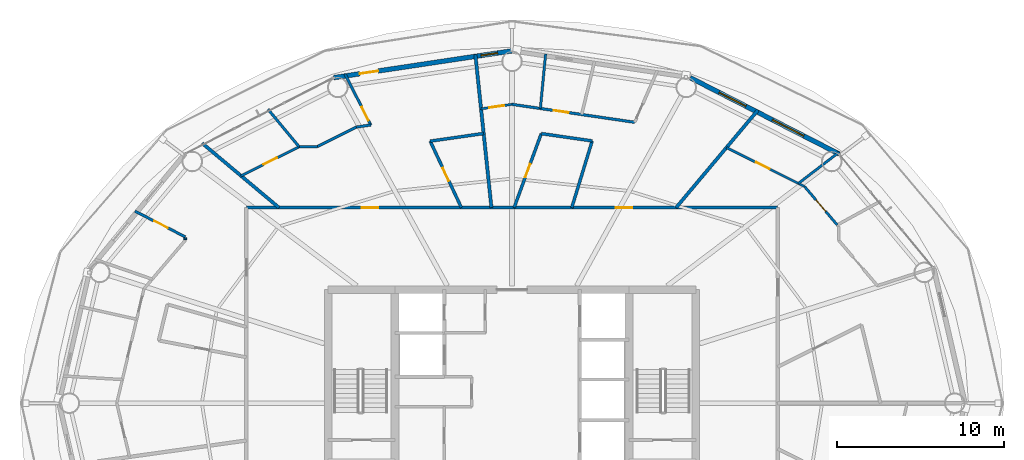
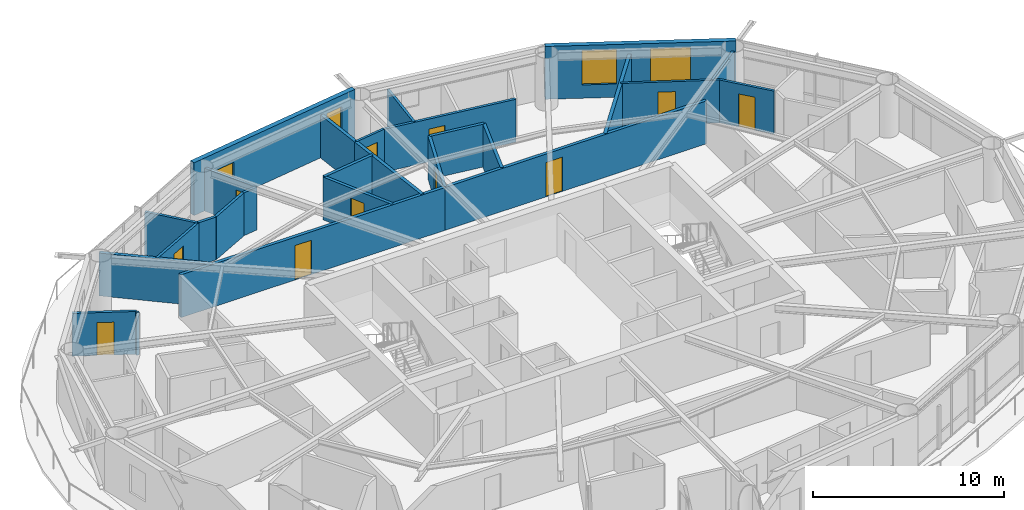
# One storey, part 24 of 28: 27 walls, 12 doors, 3 windows, 15 openings.
"""IFC4 building model written with IfcOpenShell, lengths in metres."""

from ifc_helpers import new_model, si_unit, direction, frame, frame_2d, origin, place, context, subcontext, project, spatial, rectangle, extrude, material, layer, layer_set, type_object, element, fill, save


model = new_model("IFC4")

# Units and contexts
model_context = context("Model", 3, precision=1e-05, world=origin(), true_north=direction((0.0, 1.0)))
body_context = subcontext(model_context, "Body", "Model", "MODEL_VIEW")
ifc_project = project(units=[si_unit("LENGTHUNIT", "METRE"), si_unit("AREAUNIT", "SQUARE_METRE"), si_unit("VOLUMEUNIT", "CUBIC_METRE"), si_unit("PLANEANGLEUNIT", "RADIAN"), si_unit("MASSUNIT", "GRAM", prefix="KILO")], contexts=[model_context])

# Site, building, storey
site_placement = place(None, origin())
site = spatial("IfcSite", under=ifc_project, at=site_placement, CompositionType="ELEMENT")
building_placement = place(site_placement, origin())
building = spatial("IfcBuilding", under=site, at=building_placement, Name="Sarneth Arch Tower", CompositionType="ELEMENT")
storey_placement = place(building_placement, frame((0.0, 0.0, 179.39990234375)))
storey = spatial("IfcBuildingStorey", under=building, at=storey_placement, Name="L45", CompositionType="ELEMENT", Elevation=179.39990234375)

# Wall, opening, door
ifc_material_1 = material(Name="Double steel-stud corridor fire wall", Category="steel")
ifc_layer_1 = layer(ifc_material_1, 0.18994140625)
ifc_layer_set_1 = layer_set([ifc_layer_1], Name="Double steel-stud corridor fire wall")
wall_type_1 = type_object("IfcWallType", Name="WALL-CORR-190", PredefinedType="PARTITIONING", material=ifc_layer_set_1)
wall_1_placement = place(storey_placement, frame((32.10009765625, 53.699951171875, 0.0), z_axis=(0.0, 0.0, 1.0), x_axis=(1.0, 0.0, 0.0)))
wall_1 = element("IfcWall", 1, at=wall_1_placement, inside=storey, type_object=wall_type_1, Name="L45 Interior partition W-L45-TP-007", PredefinedType="PARTITIONING", context=body_context, shape_type="SweptSolid", body=[
    extrude(rectangle(XDim=16.060546875, YDim=0.18994140625, at=frame_2d((8.0302734375, 0.0))), origin(), (0.0, 0.0, 1.0), 2.739990234375),
])
opening_1_placement = place(wall_1_placement, frame((6.90673828125, 0.0, 0.0)))
opening_1 = element("IfcOpeningElement", 2, at=opening_1_placement, cuts=wall_1, Name="Opening FD-08", PredefinedType="OPENING", context=body_context, shape_type="SweptSolid", body=[
    extrude(rectangle(XDim=1.0, YDim=2.199951171875, at=frame_2d((0.5, 1.10009765625))), frame((0.0, 0.10498046875, 0.0), z_axis=(0.0, -1.0, 0.0), x_axis=(1.0, 0.0, 0.0)), (0.0, 0.0, 1.0), 0.2099609375),
])
ifc_material_2 = material(Name="Hardwood timber acoustic fire door", Category="wood")
door_type_1 = type_object("IfcDoorType", Name="DR-FD60-1000", OperationType="SINGLE_SWING_LEFT", PredefinedType="DOOR", material=ifc_material_2)
door_1_placement = place(opening_1_placement, origin())
door_1 = element("IfcDoor", 3, at=door_1_placement, inside=storey, type_object=door_type_1, Name="L45 Interior door DR-L45-U3-ENT", OperationType="SINGLE_SWING_LEFT", OverallHeight=2.199951171875, OverallWidth=1.0, PredefinedType="DOOR", context=body_context, shape_type="SweptSolid", body=[
    extrude(rectangle(XDim=1.0, YDim=2.199951171875, at=frame_2d((0.5, 1.10009765625))), frame((0.0, 0.02490234375, 0.0), z_axis=(0.0, -1.0, 0.0), x_axis=(1.0, 0.0, 0.0)), (0.0, 0.0, 1.0), 0.050048828125),
])
fill(opening_1, door_1)

wall_2_placement = place(storey_placement, frame((48.09228515625, 53.699951171875, 0.0), z_axis=(0.0, 0.0, 1.0), x_axis=(1.0, 0.0, 0.0)))
wall_2 = element("IfcWall", 4, at=wall_2_placement, inside=storey, type_object=wall_type_1, Name="L45 Interior partition W-L45-TP-005", PredefinedType="PARTITIONING", context=body_context, shape_type="SweptSolid", body=[
    extrude(rectangle(XDim=15.8076171875, YDim=0.18994140625, at=frame_2d((7.90380859375, 0.0))), origin(), (0.0, 0.0, 1.0), 2.739990234375),
])
opening_2_placement = place(wall_2_placement, frame((6.10888671875, 0.0, 0.0)))
opening_2 = element("IfcOpeningElement", 5, at=opening_2_placement, cuts=wall_2, Name="Opening FD-08", PredefinedType="OPENING", context=body_context, shape_type="SweptSolid", body=[
    extrude(rectangle(XDim=1.0, YDim=2.199951171875, at=frame_2d((0.5, 1.10009765625))), frame((0.0, 0.10498046875, 0.0), z_axis=(0.0, -1.0, 0.0), x_axis=(1.0, 0.0, 0.0)), (0.0, 0.0, 1.0), 0.2099609375),
])
door_2_placement = place(opening_2_placement, origin())
door_2 = element("IfcDoor", 6, at=door_2_placement, inside=storey, type_object=door_type_1, Name="L45 Interior door DR-L45-U2-ENT", OperationType="SINGLE_SWING_RIGHT", OverallHeight=2.199951171875, OverallWidth=1.0, PredefinedType="DOOR", context=body_context, shape_type="SweptSolid", body=[
    extrude(rectangle(XDim=1.0, YDim=2.199951171875, at=frame_2d((0.5, 1.10009765625))), frame((0.0, 0.02490234375, 0.0), z_axis=(0.0, -1.0, 0.0), x_axis=(1.0, 0.0, 0.0)), (0.0, 0.0, 1.0), 0.050048828125),
])
fill(opening_2, door_2)

# Wall, openings, windows
ifc_material_3 = material(Name="Extruded terracotta rainscreen on Concrete C40/50 backing", Category="masonry")
ifc_layer_2 = layer(ifc_material_3, 0.280029296875)
ifc_layer_set_2 = layer_set([ifc_layer_2], Name="Extruded terracotta rainscreen on Concrete C40/50 backing")
wall_type_2 = type_object("IfcWallType", Name="WALL-EXT-TERRA-280", PredefinedType="SOLIDWALL", material=ifc_layer_set_2)
wall_3_placement = place(storey_placement, frame((67.576171875, 56.90576171875, 0.0), z_axis=(0.0, 0.0, 1.0), x_axis=(-0.889872523182, 0.456209263919, 0.0)))
wall_3 = element("IfcWall", 7, at=wall_3_placement, inside=storey, type_object=wall_type_2, Name="L45 Terracotta perimeter wall 03", PredefinedType="SOLIDWALL", context=body_context, shape_type="SweptSolid", body=[
    extrude(rectangle(XDim=10.016357421875, YDim=0.280029296875, at=frame_2d((5.00830078125, 0.0))), origin(), (0.0, 0.0, 1.0), 3.380126953125),
])
opening_3_placement = place(wall_3_placement, frame((2.3837890625, 0.0, 0.85009765625)))
opening_3 = element("IfcOpeningElement", 8, at=opening_3_placement, cuts=wall_3, Name="Opening W-03", PredefinedType="OPENING", context=body_context, shape_type="SweptSolid", body=[
    extrude(rectangle(XDim=2.10009765625, YDim=2.199951171875, at=frame_2d((1.050048828125, 1.10009765625))), frame((0.0, 0.14990234375, 0.0), z_axis=(0.0, -1.0, 0.0), x_axis=(1.0, 0.0, 0.0)), (0.0, 0.0, 1.0), 0.300048828125),
])
opening_4_placement = place(wall_3_placement, frame((6.271240234375, 0.0, 0.85009765625)))
opening_4 = element("IfcOpeningElement", 9, at=opening_4_placement, cuts=wall_3, Name="Opening W-04", PredefinedType="OPENING", context=body_context, shape_type="SweptSolid", body=[
    extrude(rectangle(XDim=1.800048828125, YDim=2.199951171875, at=frame_2d((0.89990234375, 1.10009765625))), frame((0.0, 0.14990234375, 0.0), z_axis=(0.0, -1.0, 0.0), x_axis=(1.0, 0.0, 0.0)), (0.0, 0.0, 1.0), 0.300048828125),
])
ifc_material_4 = material(Name="Thermally broken Aluminium 6063-T6 and low-e laminated IGU", Category="aluminium")
window_type_1 = type_object("IfcWindowType", Name="WIN-TWR-1800x2200", PartitioningType="DOUBLE_PANEL_VERTICAL", PredefinedType="WINDOW", material=ifc_material_4)
window_1_placement = place(opening_4_placement, origin())
window_1 = element("IfcWindow", 10, at=window_1_placement, inside=storey, type_object=window_type_1, Name="L45 Exterior window 03B", OverallHeight=2.199951171875, OverallWidth=1.800048828125, PartitioningType="SINGLE_PANEL", PredefinedType="WINDOW", context=body_context, shape_type="SweptSolid", body=[
    extrude(rectangle(XDim=1.800048828125, YDim=2.199951171875, at=frame_2d((0.89990234375, 1.10009765625))), frame((0.0, 0.030029296875, 0.0), z_axis=(0.0, -1.0, 0.0), x_axis=(1.0, 0.0, 0.0)), (0.0, 0.0, 1.0), 0.06005859375),
])
fill(opening_4, window_1)
ifc_material_5 = material(Name="Thermally broken Aluminium 6063-T6 and low-e laminated IGU", Category="aluminium")
window_type_2 = type_object("IfcWindowType", Name="WIN-TWR-2100x2200", PartitioningType="DOUBLE_PANEL_VERTICAL", PredefinedType="WINDOW", material=ifc_material_5)
window_2_placement = place(opening_3_placement, origin())
window_2 = element("IfcWindow", 11, at=window_2_placement, inside=storey, type_object=window_type_2, Name="L45 Exterior window 03A", OverallHeight=2.199951171875, OverallWidth=2.10009765625, PartitioningType="SINGLE_PANEL", PredefinedType="WINDOW", context=body_context, shape_type="SweptSolid", body=[
    extrude(rectangle(XDim=2.10009765625, YDim=2.199951171875, at=frame_2d((1.050048828125, 1.10009765625))), frame((0.0, 0.030029296875, 0.0), z_axis=(0.0, -1.0, 0.0), x_axis=(1.0, 0.0, 0.0)), (0.0, 0.0, 1.0), 0.06005859375),
])
fill(opening_3, window_2)

# Wall, openings, door, window
wall_4_placement = place(storey_placement, frame((48.0, 63.080078125, 0.0), z_axis=(0.0, 0.0, 1.0), x_axis=(-0.988863993413, -0.148822049884, 0.0)))
wall_4 = element("IfcWall", 12, at=wall_4_placement, inside=storey, type_object=wall_type_2, Name="L45 Terracotta perimeter wall 05", PredefinedType="SOLIDWALL", context=body_context, shape_type="SweptSolid", body=[
    extrude(rectangle(XDim=10.782958984375, YDim=0.280029296875, at=frame_2d((5.3916015625, 0.0))), origin(), (0.0, 0.0, 1.0), 3.380126953125),
])
opening_5_placement = place(wall_4_placement, frame((8.101318359375, 0.0, 0.0)))
opening_5 = element("IfcOpeningElement", 13, at=opening_5_placement, cuts=wall_4, Name="Opening BD-3", PredefinedType="OPENING", context=body_context, shape_type="SweptSolid", body=[
    extrude(rectangle(XDim=1.10009765625, YDim=2.25, at=frame_2d((0.550048828125, 1.125))), frame((0.0, 0.14990234375, 0.0), z_axis=(0.0, -1.0, 0.0), x_axis=(1.0, 0.0, 0.0)), (0.0, 0.0, 1.0), 0.300048828125),
])
opening_6_placement = place(wall_4_placement, frame((0.873779296875, 0.0, 0.85009765625)))
opening_6 = element("IfcOpeningElement", 14, at=opening_6_placement, cuts=wall_4, Name="Opening W-11", PredefinedType="OPENING", context=body_context, shape_type="SweptSolid", body=[
    extrude(rectangle(XDim=1.0, YDim=1.800048828125, at=frame_2d((0.5, 0.89990234375))), frame((0.0, 0.14990234375, 0.0), z_axis=(0.0, -1.0, 0.0), x_axis=(1.0, 0.0, 0.0)), (0.0, 0.0, 1.0), 0.300048828125),
])
ifc_material_6 = material(Name="Thermally broken Aluminium 6063-T6 and laminated safety glass", Category="aluminium")
door_type_2 = type_object("IfcDoorType", Name="DR-BALC-GLZ-1100", OperationType="SINGLE_SWING_LEFT", PredefinedType="DOOR", material=ifc_material_6)
door_3_placement = place(opening_5_placement, origin())
door_3 = element("IfcDoor", 15, at=door_3_placement, inside=storey, type_object=door_type_2, Name="L45 Balcony glazed door 05", OperationType="SINGLE_SWING_LEFT", OverallHeight=2.25, OverallWidth=1.10009765625, PredefinedType="DOOR", context=body_context, shape_type="SweptSolid", body=[
    extrude(rectangle(XDim=1.10009765625, YDim=2.25, at=frame_2d((0.550048828125, 1.125))), frame((0.0, 0.02490234375, 0.0), z_axis=(0.0, -1.0, 0.0), x_axis=(1.0, 0.0, 0.0)), (0.0, 0.0, 1.0), 0.050048828125),
])
fill(opening_5, door_3)
ifc_material_7 = material(Name="Thermally broken Aluminium 6063-T6 and low-e laminated IGU", Category="aluminium")
window_type_3 = type_object("IfcWindowType", Name="WIN-TWR-1000x1800", PartitioningType="SINGLE_PANEL", PredefinedType="WINDOW", material=ifc_material_7)
window_3_placement = place(opening_6_placement, origin())
window_3 = element("IfcWindow", 16, at=window_3_placement, inside=storey, type_object=window_type_3, Name="L45 Dwelling bedroom window 02", OverallHeight=1.800048828125, OverallWidth=1.0, PartitioningType="SINGLE_PANEL", PredefinedType="WINDOW", context=body_context, shape_type="SweptSolid", body=[
    extrude(rectangle(XDim=1.0, YDim=1.800048828125, at=frame_2d((0.5, 0.89990234375))), frame((0.0, 0.030029296875, 0.0), z_axis=(0.0, -1.0, 0.0), x_axis=(1.0, 0.0, 0.0)), (0.0, 0.0, 1.0), 0.06005859375),
])
fill(opening_6, window_3)

# Wall, opening, door
ifc_material_8 = material(Name="Apartment internal stud partition", Category="gypsum")
ifc_layer_3 = layer(ifc_material_8, 0.139892578125)
ifc_layer_set_3 = layer_set([ifc_layer_3], Name="Apartment internal stud partition")
wall_type_3 = type_object("IfcWallType", Name="WALL-PART-140", PredefinedType="PARTITIONING", material=ifc_layer_set_3)
wall_5_placement = place(storey_placement, frame((60.8310546875, 57.291259765625, 0.0), z_axis=(0.0, 0.0, 1.0), x_axis=(0.894950159382, -0.446166126261, 0.0)))
wall_5 = element("IfcWall", 17, at=wall_5_placement, inside=storey, type_object=wall_type_3, Name="L45 Interior partition W-L45-TP-029", PredefinedType="PARTITIONING", context=body_context, shape_type="SweptSolid", body=[
    extrude(rectangle(XDim=5.222412109375, YDim=0.139892578125, at=frame_2d((2.611328125, 0.0))), origin(), (0.0, 0.0, 1.0), 2.739990234375),
])
opening_7_placement = place(wall_5_placement, frame((1.97119140625, 0.0, 0.0)))
opening_7 = element("IfcOpeningElement", 18, at=opening_7_placement, cuts=wall_5, Name="Opening ID-01", PredefinedType="OPENING", context=body_context, shape_type="SweptSolid", body=[
    extrude(rectangle(XDim=0.89990234375, YDim=2.10009765625, at=frame_2d((0.449951171875, 1.050048828125))), frame((0.0, 0.079833984375, 0.0), z_axis=(0.0, -1.0, 0.0), x_axis=(1.0, 0.0, 0.0)), (0.0, 0.0, 1.0), 0.159912109375),
])
ifc_material_9 = material(Name="Engineered hardwood flush door", Category="wood")
door_type_3 = type_object("IfcDoorType", Name="DR-INT-900", OperationType="SINGLE_SWING_LEFT", PredefinedType="DOOR", material=ifc_material_9)
door_4_placement = place(opening_7_placement, origin())
door_4 = element("IfcDoor", 19, at=door_4_placement, inside=storey, type_object=door_type_3, Name="L45 Interior door DR-L45-U1-BED2", OperationType="SINGLE_SWING_LEFT", OverallHeight=2.10009765625, OverallWidth=0.89990234375, PredefinedType="DOOR", context=body_context, shape_type="SweptSolid", body=[
    extrude(rectangle(XDim=0.89990234375, YDim=2.10009765625, at=frame_2d((0.449951171875, 1.050048828125))), frame((0.0, 0.02490234375, 0.0), z_axis=(0.0, -1.0, 0.0), x_axis=(1.0, 0.0, 0.0)), (0.0, 0.0, 1.0), 0.050048828125),
])
fill(opening_7, door_4)

wall_6_placement = place(storey_placement, frame((46.149169921875, 59.609375, 0.0), z_axis=(0.0, 0.0, 1.0), x_axis=(0.989487501707, 0.144618408111, 0.0)))
wall_6 = element("IfcWall", 20, at=wall_6_placement, inside=storey, type_object=wall_type_3, Name="L45 Interior partition W-L45-TP-043", PredefinedType="PARTITIONING", context=body_context, shape_type="SweptSolid", body=[
    extrude(rectangle(XDim=1.87060546875, YDim=0.139892578125, at=frame_2d((0.935302734375, 0.0))), origin(), (0.0, 0.0, 1.0), 2.739990234375),
])
opening_8_placement = place(wall_6_placement, frame((0.485107421875, 0.0, 0.0)))
opening_8 = element("IfcOpeningElement", 21, at=opening_8_placement, cuts=wall_6, Name="Opening ID-01", PredefinedType="OPENING", context=body_context, shape_type="SweptSolid", body=[
    extrude(rectangle(XDim=0.89990234375, YDim=2.10009765625, at=frame_2d((0.449951171875, 1.050048828125))), frame((0.0, 0.079833984375, 0.0), z_axis=(0.0, -1.0, 0.0), x_axis=(1.0, 0.0, 0.0)), (0.0, 0.0, 1.0), 0.159912109375),
])
door_5_placement = place(opening_8_placement, origin())
door_5 = element("IfcDoor", 22, at=door_5_placement, inside=storey, type_object=door_type_3, Name="L45 Interior door DR-L45-U2-BED2", OperationType="SINGLE_SWING_LEFT", OverallHeight=2.10009765625, OverallWidth=0.89990234375, PredefinedType="DOOR", context=body_context, shape_type="SweptSolid", body=[
    extrude(rectangle(XDim=0.89990234375, YDim=2.10009765625, at=frame_2d((0.449951171875, 1.050048828125))), frame((0.0, 0.02490234375, 0.0), z_axis=(0.0, -1.0, 0.0), x_axis=(1.0, 0.0, 0.0)), (0.0, 0.0, 1.0), 0.050048828125),
])
fill(opening_8, door_5)

ifc_material_10 = material(Name="Acoustic gypsum stud partition", Category="gypsum")
ifc_layer_4 = layer(ifc_material_10, 0.14990234375)
ifc_layer_set_4 = layer_set([ifc_layer_4], Name="Acoustic gypsum stud partition")
wall_type_4 = type_object("IfcWallType", Name="WALL-PART-150", PredefinedType="PARTITIONING", material=ifc_layer_set_4)
wall_7_placement = place(storey_placement, frame((31.786376953125, 55.60498046875, 0.0), z_axis=(0.0, 0.0, 1.0), x_axis=(0.895458573673, 0.445144856013, 0.0)))
wall_7 = element("IfcWall", 23, at=wall_7_placement, inside=storey, type_object=wall_type_4, Name="L45 Interior partition W-L45-TP-056", PredefinedType="PARTITIONING", context=body_context, shape_type="SweptSolid", body=[
    extrude(rectangle(XDim=3.92041015625, YDim=0.14990234375, at=frame_2d((1.960205078125, 0.0))), origin(), (0.0, 0.0, 1.0), 2.739990234375),
])
opening_9_placement = place(wall_7_placement, frame((1.51025390625, 0.0, 0.0)))
opening_9 = element("IfcOpeningElement", 24, at=opening_9_placement, cuts=wall_7, Name="Opening ID-01", PredefinedType="OPENING", context=body_context, shape_type="SweptSolid", body=[
    extrude(rectangle(XDim=0.89990234375, YDim=2.10009765625, at=frame_2d((0.449951171875, 1.050048828125))), frame((0.0, 0.0849609375, 0.0), z_axis=(0.0, -1.0, 0.0), x_axis=(1.0, 0.0, 0.0)), (0.0, 0.0, 1.0), 0.169921875),
])
door_6_placement = place(opening_9_placement, origin())
door_6 = element("IfcDoor", 25, at=door_6_placement, inside=storey, type_object=door_type_3, Name="L45 Interior door DR-L45-U3-BED1", OperationType="SINGLE_SWING_RIGHT", OverallHeight=2.10009765625, OverallWidth=0.89990234375, PredefinedType="DOOR", context=body_context, shape_type="SweptSolid", body=[
    extrude(rectangle(XDim=0.89990234375, YDim=2.10009765625, at=frame_2d((0.449951171875, 1.050048828125))), frame((0.0, 0.02490234375, 0.0), z_axis=(0.0, -1.0, 0.0), x_axis=(1.0, 0.0, 0.0)), (0.0, 0.0, 1.0), 0.050048828125),
])
fill(opening_9, door_6)

# Walls
wall_8_placement = place(storey_placement, frame((49.69775390625, 59.631591796875, 0.0), z_axis=(0.0, 0.0, 1.0), x_axis=(0.09582014047, 0.995398664195, 0.0)))
element("IfcWall", 26, at=wall_8_placement, inside=storey, type_object=wall_type_4, Name="L45 Interior partition W-L45-TP-048", PredefinedType="PARTITIONING", context=body_context, shape_type="SweptSolid", body=[
    extrude(rectangle(XDim=3.28173828125, YDim=0.14990234375, at=frame_2d((1.640869140625, 0.0))), origin(), (0.0, 0.0, 1.0), 2.739990234375),
])
wall_9_placement = place(storey_placement, frame((67.5810546875, 57.025146484375, 0.0), z_axis=(0.0, 0.0, 1.0), x_axis=(-0.793314658032, -0.608811837395, 0.0)))
element("IfcWall", 27, at=wall_9_placement, inside=storey, type_object=wall_type_4, Name="L45 Interior partition W-L45-TP-035", PredefinedType="PARTITIONING", context=body_context, shape_type="SweptSolid", body=[
    extrude(rectangle(XDim=3.085693359375, YDim=0.14990234375, at=frame_2d((1.54296875, 0.0))), origin(), (0.0, 0.0, 1.0), 2.739990234375),
])

# Wall, opening, door
wall_10_placement = place(storey_placement, frame((67.458740234375, 52.663818359375, 0.0), z_axis=(0.0, 0.0, 1.0), x_axis=(-0.647859881114, 0.761759525338, 0.0)))
wall_10 = element("IfcWall", 28, at=wall_10_placement, inside=storey, type_object=wall_type_4, Name="L45 Interior partition W-L45-TP-027", PredefinedType="PARTITIONING", context=body_context, shape_type="SweptSolid", body=[
    extrude(rectangle(XDim=3.015869140625, YDim=0.14990234375, at=frame_2d((1.5078125, 0.0))), origin(), (0.0, 0.0, 1.0), 2.739990234375),
])
opening_10_placement = place(wall_10_placement, frame((1.05810546875, 0.0, 0.0)))
opening_10 = element("IfcOpeningElement", 29, at=opening_10_placement, cuts=wall_10, Name="Opening ID-01", PredefinedType="OPENING", context=body_context, shape_type="SweptSolid", body=[
    extrude(rectangle(XDim=0.89990234375, YDim=2.10009765625, at=frame_2d((0.449951171875, 1.050048828125))), frame((0.0, 0.0849609375, 0.0), z_axis=(0.0, -1.0, 0.0), x_axis=(1.0, 0.0, 0.0)), (0.0, 0.0, 1.0), 0.169921875),
])
door_7_placement = place(opening_10_placement, origin())
door_7 = element("IfcDoor", 30, at=door_7_placement, inside=storey, type_object=door_type_3, Name="L45 Interior door DR-L45-U1-BED1", OperationType="SINGLE_SWING_LEFT", OverallHeight=2.10009765625, OverallWidth=0.89990234375, PredefinedType="DOOR", context=body_context, shape_type="SweptSolid", body=[
    extrude(rectangle(XDim=0.89990234375, YDim=2.10009765625, at=frame_2d((0.449951171875, 1.050048828125))), frame((0.0, 0.02490234375, 0.0), z_axis=(0.0, -1.0, 0.0), x_axis=(1.0, 0.0, 0.0)), (0.0, 0.0, 1.0), 0.050048828125),
])
fill(opening_10, door_7)

ifc_material_11 = material(Name="Kitchen wet service chase wall", Category="gypsum")
ifc_layer_5 = layer(ifc_material_11, 0.159912109375)
ifc_layer_set_5 = layer_set([ifc_layer_5], Name="Kitchen wet service chase wall")
wall_type_5 = type_object("IfcWallType", Name="WALL-PLUMB-160", PredefinedType="PLUMBINGWALL", material=ifc_layer_set_5)
wall_11_placement = place(storey_placement, frame((38.006591796875, 61.69140625, 0.0), z_axis=(0.0, 0.0, 1.0), x_axis=(0.452578737028, -0.891724445549, 0.0)))
wall_11 = element("IfcWall", 31, at=wall_11_placement, inside=storey, type_object=wall_type_5, Name="L45 Interior partition W-L45-TP-050", PredefinedType="PLUMBINGWALL", context=body_context, shape_type="SweptSolid", body=[
    extrude(rectangle(XDim=3.416748046875, YDim=0.159912109375, at=frame_2d((1.70849609375, 0.0))), origin(), (0.0, 0.0, 1.0), 2.739990234375),
])
opening_11_placement = place(wall_11_placement, frame((2.21826171875, 0.0, 0.0)))
opening_11 = element("IfcOpeningElement", 32, at=opening_11_placement, cuts=wall_11, Name="Opening ID-01", PredefinedType="OPENING", context=body_context, shape_type="SweptSolid", body=[
    extrude(rectangle(XDim=0.89990234375, YDim=2.10009765625, at=frame_2d((0.449951171875, 1.050048828125))), frame((0.0, 0.08984375, 0.0), z_axis=(0.0, -1.0, 0.0), x_axis=(1.0, 0.0, 0.0)), (0.0, 0.0, 1.0), 0.179931640625),
])
door_8_placement = place(opening_11_placement, origin())
door_8 = element("IfcDoor", 33, at=door_8_placement, inside=storey, type_object=door_type_3, Name="L45 Interior door DR-L45-U3-KIT", OperationType="SINGLE_SWING_RIGHT", OverallHeight=2.10009765625, OverallWidth=0.89990234375, PredefinedType="DOOR", context=body_context, shape_type="SweptSolid", body=[
    extrude(rectangle(XDim=0.89990234375, YDim=2.10009765625, at=frame_2d((0.449951171875, 1.050048828125))), frame((0.0, 0.02490234375, 0.0), z_axis=(0.0, -1.0, 0.0), x_axis=(1.0, 0.0, 0.0)), (0.0, 0.0, 1.0), 0.050048828125),
])
fill(opening_11, door_8)

wall_12_placement = place(storey_placement, frame((28.449951171875, 51.952392578125, 0.0), z_axis=(0.0, 0.0, 1.0), x_axis=(-0.891148759763, 0.453711238535, 0.0)))
wall_12 = element("IfcWall", 34, at=wall_12_placement, inside=storey, type_object=wall_type_5, Name="L45 Interior partition W-L45-TP-064", PredefinedType="PLUMBINGWALL", context=body_context, shape_type="SweptSolid", body=[
    extrude(rectangle(XDim=3.37548828125, YDim=0.159912109375, at=frame_2d((1.687744140625, 0.0))), origin(), (0.0, 0.0, 1.0), 2.739990234375),
])
opening_12_placement = place(wall_12_placement, frame((1.177734375, 0.0, 0.0)))
opening_12 = element("IfcOpeningElement", 35, at=opening_12_placement, cuts=wall_12, Name="Opening ID-01", PredefinedType="OPENING", context=body_context, shape_type="SweptSolid", body=[
    extrude(rectangle(XDim=0.89990234375, YDim=2.10009765625, at=frame_2d((0.449951171875, 1.050048828125))), frame((0.0, 0.08984375, 0.0), z_axis=(0.0, -1.0, 0.0), x_axis=(1.0, 0.0, 0.0)), (0.0, 0.0, 1.0), 0.179931640625),
])
door_9_placement = place(opening_12_placement, origin())
door_9 = element("IfcDoor", 36, at=door_9_placement, inside=storey, type_object=door_type_3, Name="L45 Interior door DR-L45-U4-KIT", OperationType="SINGLE_SWING_RIGHT", OverallHeight=2.10009765625, OverallWidth=0.89990234375, PredefinedType="DOOR", context=body_context, shape_type="SweptSolid", body=[
    extrude(rectangle(XDim=0.89990234375, YDim=2.10009765625, at=frame_2d((0.449951171875, 1.050048828125))), frame((0.0, 0.02490234375, 0.0), z_axis=(0.0, -1.0, 0.0), x_axis=(1.0, 0.0, 0.0)), (0.0, 0.0, 1.0), 0.050048828125),
])
fill(opening_12, door_9)

wall_13_placement = place(storey_placement, frame((55.344482421875, 58.8056640625, 0.0), z_axis=(0.0, 0.0, 1.0), x_axis=(-0.989467614554, 0.144754411849, 0.0)))
wall_13 = element("IfcWall", 37, at=wall_13_placement, inside=storey, type_object=wall_type_5, Name="L45 Interior partition W-L45-TP-038", PredefinedType="PLUMBINGWALL", context=body_context, shape_type="SweptSolid", body=[
    extrude(rectangle(XDim=7.422607421875, YDim=0.159912109375, at=frame_2d((3.71142578125, 0.0))), origin(), (0.0, 0.0, 1.0), 2.739990234375),
])
opening_13_placement = place(wall_13_placement, frame((4.007568359375, 0.0, 0.0)))
opening_13 = element("IfcOpeningElement", 38, at=opening_13_placement, cuts=wall_13, Name="Opening ID-01", PredefinedType="OPENING", context=body_context, shape_type="SweptSolid", body=[
    extrude(rectangle(XDim=0.89990234375, YDim=2.10009765625, at=frame_2d((0.449951171875, 1.050048828125))), frame((0.0, 0.08984375, 0.0), z_axis=(0.0, -1.0, 0.0), x_axis=(1.0, 0.0, 0.0)), (0.0, 0.0, 1.0), 0.179931640625),
])
door_10_placement = place(opening_13_placement, origin())
door_10 = element("IfcDoor", 39, at=door_10_placement, inside=storey, type_object=door_type_3, Name="L45 Interior door DR-L45-U2-BED1", OperationType="SINGLE_SWING_RIGHT", OverallHeight=2.10009765625, OverallWidth=0.89990234375, PredefinedType="DOOR", context=body_context, shape_type="SweptSolid", body=[
    extrude(rectangle(XDim=0.89990234375, YDim=2.10009765625, at=frame_2d((0.449951171875, 1.050048828125))), frame((0.0, 0.02490234375, 0.0), z_axis=(0.0, -1.0, 0.0), x_axis=(1.0, 0.0, 0.0)), (0.0, 0.0, 1.0), 0.050048828125),
])
fill(opening_13, door_10)

# Walls
wall_14_placement = place(storey_placement, frame((35.264404296875, 57.3388671875, 0.0), z_axis=(0.0, 0.0, 1.0), x_axis=(-0.638753509407, 0.769411433643, 0.0)))
element("IfcWall", 40, at=wall_14_placement, inside=storey, type_object=wall_type_5, Name="L45 Interior partition W-L45-TP-058", PredefinedType="PLUMBINGWALL", context=body_context, shape_type="SweptSolid", body=[
    extrude(rectangle(XDim=2.92236328125, YDim=0.159912109375, at=frame_2d((1.461181640625, 0.0))), origin(), (0.0, 0.0, 1.0), 2.739990234375),
])
wall_15_placement = place(storey_placement, frame((38.69482421875, 58.51904296875, 0.0), z_axis=(0.0, 0.0, 1.0), x_axis=(-0.895041110332, -0.445983644112, 0.0)))
element("IfcWall", 41, at=wall_15_placement, inside=storey, type_object=wall_type_5, Name="L45 Interior partition W-L45-TP-052", PredefinedType="PLUMBINGWALL", context=body_context, shape_type="SweptSolid", body=[
    extrude(rectangle(XDim=2.62109375, YDim=0.159912109375, at=frame_2d((1.310546875, 0.0))), origin(), (0.0, 0.0, 1.0), 2.739990234375),
])
wall_16_placement = place(storey_placement, frame((36.348876953125, 57.35009765625, 0.0), z_axis=(0.0, 0.0, 1.0), x_axis=(-1.0, 0.0, 0.0)))
element("IfcWall", 42, at=wall_16_placement, inside=storey, type_object=wall_type_5, Name="L45 Interior partition W-L45-TP-053", PredefinedType="PLUMBINGWALL", context=body_context, shape_type="SweptSolid", body=[
    extrude(rectangle(XDim=1.062255859375, YDim=0.159912109375, at=frame_2d((0.53125, 0.0))), origin(), (0.0, 0.0, 1.0), 2.739990234375),
])
wall_17_placement = place(storey_placement, frame((39.552978515625, 58.64453125, 0.0), z_axis=(0.0, 0.0, 1.0), x_axis=(-0.989476797437, -0.144691628416, 0.0)))
element("IfcWall", 43, at=wall_17_placement, inside=storey, type_object=wall_type_5, Name="L45 Interior partition W-L45-TP-051", PredefinedType="PLUMBINGWALL", context=body_context, shape_type="SweptSolid", body=[
    extrude(rectangle(XDim=0.8671875, YDim=0.159912109375, at=frame_2d((0.43359375, 0.0))), origin(), (0.0, 0.0, 1.0), 2.739990234375),
])
wall_18_placement = place(storey_placement, frame((28.449951171875, 51.784423828125, 0.0), z_axis=(0.0, 0.0, 1.0), x_axis=(0.0, 1.0, 0.0)))
element("IfcWall", 44, at=wall_18_placement, inside=storey, type_object=wall_type_5, Name="L45 Interior partition W-L45-TP-063", PredefinedType="PLUMBINGWALL", context=body_context, shape_type="SweptSolid", body=[
    extrude(rectangle(XDim=0.108154296875, YDim=0.159912109375, at=frame_2d((0.05419921875, 0.0))), origin(), (0.0, 0.0, 1.0), 2.739990234375),
])

# Wall, opening, door
ifc_material_12 = material(Name="Moisture-resistant plumbing chase wall", Category="gypsum")
ifc_layer_6 = layer(ifc_material_12, 0.179931640625)
ifc_layer_set_6 = layer_set([ifc_layer_6], Name="Moisture-resistant plumbing chase wall")
wall_type_6 = type_object("IfcWallType", Name="WALL-PLUMB-180", PredefinedType="PLUMBINGWALL", material=ifc_layer_set_6)
wall_19_placement = place(storey_placement, frame((48.12646484375, 53.699951171875, 0.0), z_axis=(0.0, 0.0, 1.0), x_axis=(0.344546621301, 0.938769207926, 0.0)))
wall_19 = element("IfcWall", 45, at=wall_19_placement, inside=storey, type_object=wall_type_6, Name="L45 Interior partition W-L45-TP-039", PredefinedType="PLUMBINGWALL", context=body_context, shape_type="SweptSolid", body=[
    extrude(rectangle(XDim=4.717041015625, YDim=0.179931640625, at=frame_2d((2.3583984375, 0.0))), origin(), (0.0, 0.0, 1.0), 2.739990234375),
])
opening_14_placement = place(wall_19_placement, frame((1.93359375, 0.0, 0.0)))
opening_14 = element("IfcOpeningElement", 46, at=opening_14_placement, cuts=wall_19, Name="Opening ID-02", PredefinedType="OPENING", context=body_context, shape_type="SweptSolid", body=[
    extrude(rectangle(XDim=0.85009765625, YDim=2.10009765625, at=frame_2d((0.425048828125, 1.050048828125))), frame((0.0, 0.099853515625, 0.0), z_axis=(0.0, -1.0, 0.0), x_axis=(1.0, 0.0, 0.0)), (0.0, 0.0, 1.0), 0.199951171875),
])
ifc_material_13 = material(Name="Moisture-resistant bathroom timber door", Category="wood")
door_type_4 = type_object("IfcDoorType", Name="DR-INT-850", OperationType="SINGLE_SWING_RIGHT", PredefinedType="DOOR", material=ifc_material_13)
door_11_placement = place(opening_14_placement, origin())
door_11 = element("IfcDoor", 47, at=door_11_placement, inside=storey, type_object=door_type_4, Name="L45 Interior door DR-L45-U2-BATH", OperationType="SINGLE_SWING_LEFT", OverallHeight=2.10009765625, OverallWidth=0.85009765625, PredefinedType="DOOR", context=body_context, shape_type="SweptSolid", body=[
    extrude(rectangle(XDim=0.85009765625, YDim=2.10009765625, at=frame_2d((0.425048828125, 1.050048828125))), frame((0.0, 0.02490234375, 0.0), z_axis=(0.0, -1.0, 0.0), x_axis=(1.0, 0.0, 0.0)), (0.0, 0.0, 1.0), 0.050048828125),
])
fill(opening_14, door_11)

wall_20_placement = place(storey_placement, frame((43.1064453125, 57.676513671875, 0.0), z_axis=(0.0, 0.0, 1.0), x_axis=(0.424616155392, -0.905373470221, 0.0)))
wall_20 = element("IfcWall", 48, at=wall_20_placement, inside=storey, type_object=wall_type_6, Name="L45 Interior partition W-L45-TP-055", PredefinedType="PLUMBINGWALL", context=body_context, shape_type="SweptSolid", body=[
    extrude(rectangle(XDim=4.39208984375, YDim=0.179931640625, at=frame_2d((2.196044921875, 0.0))), origin(), (0.0, 0.0, 1.0), 2.739990234375),
])
opening_15_placement = place(wall_20_placement, frame((1.77099609375, 0.0, 0.0)))
opening_15 = element("IfcOpeningElement", 49, at=opening_15_placement, cuts=wall_20, Name="Opening ID-02", PredefinedType="OPENING", context=body_context, shape_type="SweptSolid", body=[
    extrude(rectangle(XDim=0.85009765625, YDim=2.10009765625, at=frame_2d((0.425048828125, 1.050048828125))), frame((0.0, 0.099853515625, 0.0), z_axis=(0.0, -1.0, 0.0), x_axis=(1.0, 0.0, 0.0)), (0.0, 0.0, 1.0), 0.199951171875),
])
door_12_placement = place(opening_15_placement, origin())
door_12 = element("IfcDoor", 50, at=door_12_placement, inside=storey, type_object=door_type_4, Name="L45 Interior door DR-L45-U3-BATH", OperationType="SINGLE_SWING_RIGHT", OverallHeight=2.10009765625, OverallWidth=0.85009765625, PredefinedType="DOOR", context=body_context, shape_type="SweptSolid", body=[
    extrude(rectangle(XDim=0.85009765625, YDim=2.10009765625, at=frame_2d((0.425048828125, 1.050048828125))), frame((0.0, 0.02490234375, 0.0), z_axis=(0.0, -1.0, 0.0), x_axis=(1.0, 0.0, 0.0)), (0.0, 0.0, 1.0), 0.050048828125),
])
fill(opening_15, door_12)

# Walls
wall_21_placement = place(storey_placement, frame((52.797119140625, 57.6904296875, 0.0), z_axis=(0.0, 0.0, 1.0), x_axis=(-0.29241622154, -0.956291144673, 0.0)))
element("IfcWall", 51, at=wall_21_placement, inside=storey, type_object=wall_type_6, Name="L45 Interior partition W-L45-TP-041", PredefinedType="PLUMBINGWALL", context=body_context, shape_type="SweptSolid", body=[
    extrude(rectangle(XDim=4.1728515625, YDim=0.179931640625, at=frame_2d((2.08642578125, 0.0))), origin(), (0.0, 0.0, 1.0), 2.739990234375),
])
wall_22_placement = place(storey_placement, frame((46.303955078125, 58.13623046875, 0.0), z_axis=(0.0, 0.0, 1.0), x_axis=(-0.989822126592, -0.142310075924, 0.0)))
element("IfcWall", 52, at=wall_22_placement, inside=storey, type_object=wall_type_6, Name="L45 Interior partition W-L45-TP-054", PredefinedType="PLUMBINGWALL", context=body_context, shape_type="SweptSolid", body=[
    extrude(rectangle(XDim=3.23046875, YDim=0.179931640625, at=frame_2d((1.615234375, 0.0))), origin(), (0.0, 0.0, 1.0), 2.739990234375),
])
wall_23_placement = place(storey_placement, frame((49.751708984375, 58.128173828125, 0.0), z_axis=(0.0, 0.0, 1.0), x_axis=(0.989826923232, -0.142276709424, 0.0)))
element("IfcWall", 53, at=wall_23_placement, inside=storey, type_object=wall_type_6, Name="L45 Interior partition W-L45-TP-040", PredefinedType="PLUMBINGWALL", context=body_context, shape_type="SweptSolid", body=[
    extrude(rectangle(XDim=3.07666015625, YDim=0.179931640625, at=frame_2d((1.538330078125, 0.0))), origin(), (0.0, 0.0, 1.0), 2.739990234375),
])
ifc_material_14 = material(Name="Double steel-stud acoustic drywall", Category="steel")
ifc_layer_7 = layer(ifc_material_14, 0.199951171875)
ifc_layer_set_7 = layer_set([ifc_layer_7], Name="Double steel-stud acoustic drywall")
wall_type_7 = type_object("IfcWallType", Name="WALL-UNIT-200", PredefinedType="PARTITIONING", material=ifc_layer_set_7)
wall_24_placement = place(storey_placement, frame((62.710693359375, 59.531494140625, 0.0), z_axis=(0.0, 0.0, 1.0), x_axis=(-0.642792619699, -0.766040239192, 0.0)))
element("IfcWall", 54, at=wall_24_placement, inside=storey, type_object=wall_type_7, Name="L45 Interior partition W-L45-TP-030", PredefinedType="PARTITIONING", context=body_context, shape_type="SweptSolid", body=[
    extrude(rectangle(XDim=7.612548828125, YDim=0.199951171875, at=frame_2d((3.80615234375, 0.0))), origin(), (0.0, 0.0, 1.0), 2.739990234375),
])
wall_25_placement = place(storey_placement, frame((46.770263671875, 53.699951171875, 0.0), z_axis=(0.0, 0.0, 1.0), x_axis=(-0.104526512024, 0.99452210045, 0.0)))
element("IfcWall", 55, at=wall_25_placement, inside=storey, type_object=wall_type_7, Name="L45 Interior partition W-L45-TP-046", PredefinedType="PARTITIONING", context=body_context, shape_type="SweptSolid", body=[
    extrude(rectangle(XDim=5.94189453125, YDim=0.199951171875, at=frame_2d((2.970947265625, 0.0))), origin(), (0.0, 0.0, 1.0), 2.739990234375),
])
wall_26_placement = place(storey_placement, frame((45.806396484375, 62.87109375, 0.0), z_axis=(0.0, 0.0, 1.0), x_axis=(0.104531289483, -0.994521598317, 0.0)))
element("IfcWall", 56, at=wall_26_placement, inside=storey, type_object=wall_type_7, Name="L45 Interior partition W-L45-TP-049", PredefinedType="PARTITIONING", context=body_context, shape_type="SweptSolid", body=[
    extrude(rectangle(XDim=3.311767578125, YDim=0.199951171875, at=frame_2d((1.65576171875, 0.0))), origin(), (0.0, 0.0, 1.0), 2.739990234375),
])
wall_27_placement = place(storey_placement, frame((34.056396484375, 53.699951171875, 0.0), z_axis=(0.0, 0.0, 1.0), x_axis=(-0.766037176398, 0.642796269728, 0.0)))
element("IfcWall", 57, at=wall_27_placement, inside=storey, type_object=wall_type_7, Name="L45 Interior partition W-L45-TP-059", PredefinedType="PARTITIONING", context=body_context, shape_type="SweptSolid", body=[
    extrude(rectangle(XDim=6.00439453125, YDim=0.199951171875, at=frame_2d((3.002197265625, 0.0))), origin(), (0.0, 0.0, 1.0), 2.739990234375),
])

save(model, "model.ifc")
